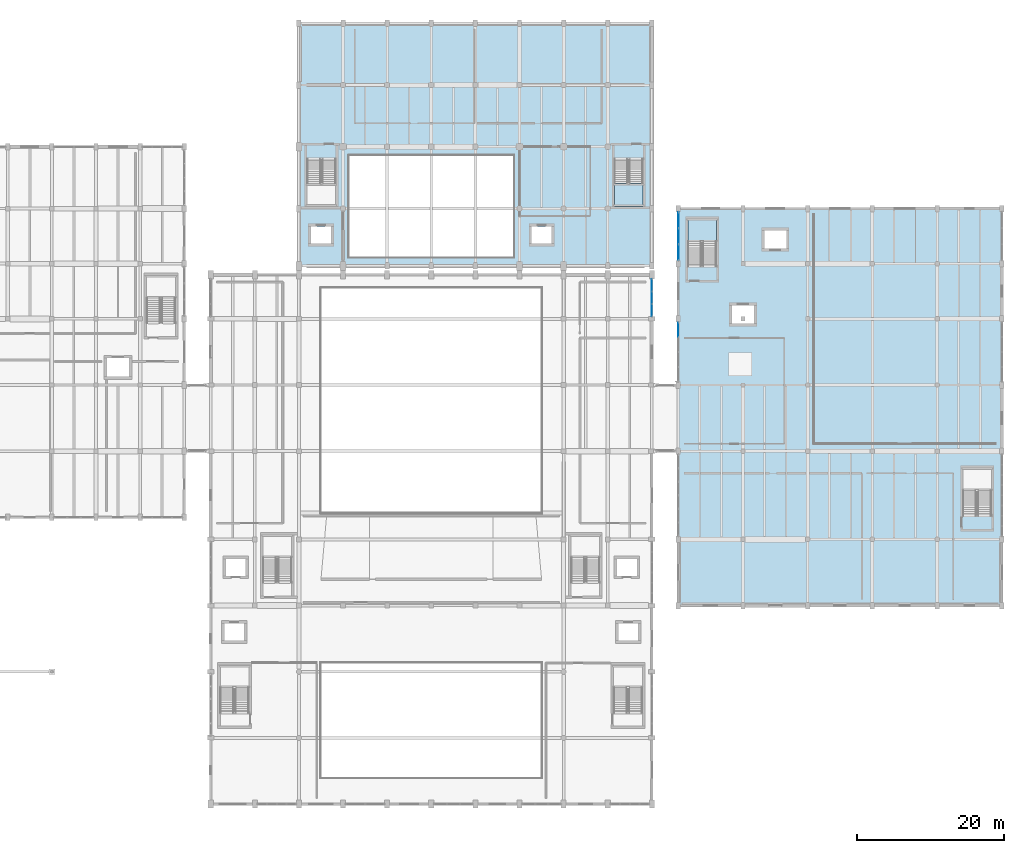
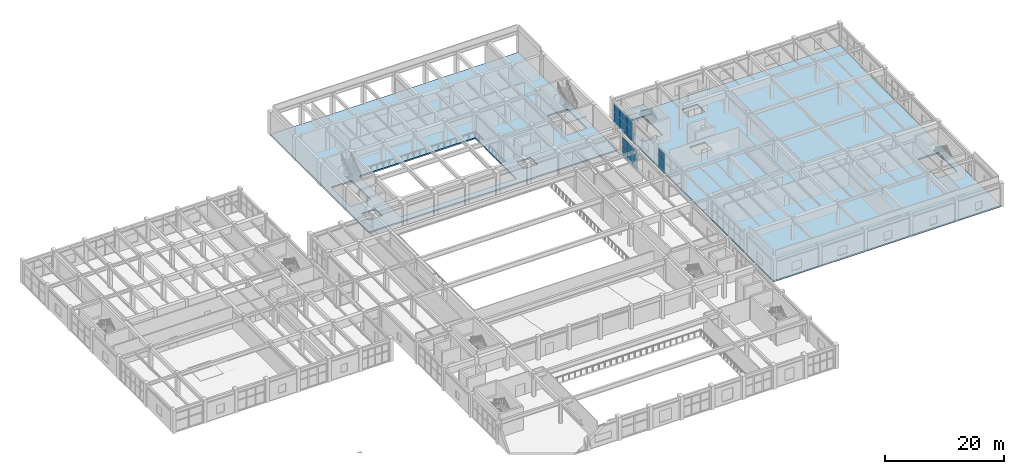
# One storey, part 58 of 85: 14 plates, 4 slabs, 5 elements without a shape of their own.
"""IFC4 building model written with IfcOpenShell, lengths in metres."""

from ifc_helpers import new_model, si_unit, direction, frame, origin, origin_2d, place, context, subcontext, project, spatial, polyline, rectangle, outline, extrude, material, layer, layer_set, type_object, element, aggregate, save


model = new_model("IFC4")

# Units and contexts
model_context = context("Model", 3, precision=1e-05, world=origin(), true_north=direction((0.0, 1.0)))
body_context = subcontext(model_context, "Body", "Model", "MODEL_VIEW")
ifc_project = project(units=[si_unit("LENGTHUNIT", "METRE"), si_unit("AREAUNIT", "SQUARE_METRE"), si_unit("VOLUMEUNIT", "CUBIC_METRE"), si_unit("PLANEANGLEUNIT", "RADIAN"), si_unit("MASSUNIT", "GRAM", prefix="KILO")], contexts=[model_context])

# Site, building, storey
site_placement = place(None, origin())
site = spatial("IfcSite", under=ifc_project, at=site_placement, CompositionType="ELEMENT")
building_placement = place(site_placement, origin())
building = spatial("IfcBuilding", under=site, at=building_placement, Name="Vaelkrest Opera House", CompositionType="ELEMENT")
storey_placement = place(building_placement, frame((0.0, 0.0, 10.199951171875)))
storey = spatial("IfcBuildingStorey", under=building, at=storey_placement, Name="L02", CompositionType="ELEMENT", Elevation=10.199951171875)

# Curtain wall, plates
ifc_material_1 = material(Name="Dark bronze anodized aluminium", Category="aluminium")
ifc_layer_1 = layer(ifc_material_1, 0.219970703125)
ifc_layer_set_1 = layer_set([ifc_layer_1], Name="Dark bronze anodized aluminium")
curtain_wall_type_1 = type_object("IfcCurtainWallType", Name="CW05", PredefinedType="NOTDEFINED", material=ifc_layer_set_1)
curtain_wall_1_placement = place(storey_placement, origin())
curtain_wall_1 = element("IfcCurtainWall", 1, at=curtain_wall_1_placement, inside=storey, type_object=curtain_wall_type_1, Name="Curtain wall CW-L02-039", PredefinedType="NOTDEFINED")
ifc_material_2 = material(Name="Double low-E insulated glazing", Category="glass")
ifc_layer_2 = layer(ifc_material_2, 0.0419921875)
ifc_layer_set_2 = layer_set([ifc_layer_2], Name="Double low-E insulated glazing")
plate_type_1 = type_object("IfcPlateType", Name="CWP05", PredefinedType="CURTAIN_PANEL", material=ifc_layer_set_2)
plate_1_placement = place(storey_placement, frame((30.0, 14.77685546875, 0.074951171875), z_axis=(0.0, 0.0, 1.0), x_axis=(0.0, -1.0, 0.0)))
plate_1 = element("IfcPlate", 2, at=plate_1_placement, type_object=plate_type_1, Name="CW05 panel 1.1", PredefinedType="CURTAIN_PANEL", context=body_context, shape_type="SweptSolid", body=[
    extrude(rectangle(XDim=1.62060546875, YDim=0.0419921875, at=origin_2d()), origin(), (0.0, 0.0, 1.0), 2.03759765625),
])
plate_2_placement = place(storey_placement, frame((30.0, 14.77685546875, 2.1875), z_axis=(0.0, 0.0, 1.0), x_axis=(0.0, -1.0, 0.0)))
plate_2 = element("IfcPlate", 3, at=plate_2_placement, type_object=plate_type_1, Name="CW05 panel 1.2", PredefinedType="CURTAIN_PANEL", context=body_context, shape_type="SweptSolid", body=[
    extrude(rectangle(XDim=1.62060546875, YDim=0.0419921875, at=origin_2d()), origin(), (0.0, 0.0, 1.0), 1.56640625),
])
plate_3_placement = place(storey_placement, frame((30.0, 13.074951171875, 0.074951171875), z_axis=(0.0, 0.0, 1.0), x_axis=(0.0, -1.0, 0.0)))
plate_3 = element("IfcPlate", 4, at=plate_3_placement, type_object=plate_type_1, Name="CW05 panel 2.1", PredefinedType="CURTAIN_PANEL", context=body_context, shape_type="SweptSolid", body=[
    extrude(rectangle(XDim=1.653076171875, YDim=0.0419921875, at=origin_2d()), origin(), (0.0, 0.0, 1.0), 2.03759765625),
])
plate_4_placement = place(storey_placement, frame((30.0, 13.074951171875, 2.1875), z_axis=(0.0, 0.0, 1.0), x_axis=(0.0, -1.0, 0.0)))
plate_4 = element("IfcPlate", 5, at=plate_4_placement, type_object=plate_type_1, Name="CW05 panel 2.2", PredefinedType="CURTAIN_PANEL", context=body_context, shape_type="SweptSolid", body=[
    extrude(rectangle(XDim=1.653076171875, YDim=0.0419921875, at=origin_2d()), origin(), (0.0, 0.0, 1.0), 1.56640625),
])
plate_5_placement = place(storey_placement, frame((30.0, 11.373291015625, 0.074951171875), z_axis=(0.0, 0.0, 1.0), x_axis=(0.0, -1.0, 0.0)))
plate_5 = element("IfcPlate", 6, at=plate_5_placement, type_object=plate_type_1, Name="CW05 panel 3.1", PredefinedType="CURTAIN_PANEL", context=body_context, shape_type="SweptSolid", body=[
    extrude(rectangle(XDim=1.62060546875, YDim=0.0419921875, at=origin_2d()), origin(), (0.0, 0.0, 1.0), 2.03759765625),
])
plate_6_placement = place(storey_placement, frame((30.0, 11.373291015625, 2.1875), z_axis=(0.0, 0.0, 1.0), x_axis=(0.0, -1.0, 0.0)))
plate_6 = element("IfcPlate", 7, at=plate_6_placement, type_object=plate_type_1, Name="CW05 panel 3.2", PredefinedType="CURTAIN_PANEL", context=body_context, shape_type="SweptSolid", body=[
    extrude(rectangle(XDim=1.62060546875, YDim=0.0419921875, at=origin_2d()), origin(), (0.0, 0.0, 1.0), 1.56640625),
])
aggregate(curtain_wall_1, [plate_1, plate_2, plate_3, plate_4, plate_5, plate_6])

ifc_layer_3 = layer(ifc_material_1, 0.22998046875)
ifc_layer_set_3 = layer_set([ifc_layer_3], Name="Dark bronze anodized aluminium")
curtain_wall_type_2 = type_object("IfcCurtainWallType", Name="CW06", PredefinedType="NOTDEFINED", material=ifc_layer_set_3)
curtain_wall_2_placement = place(storey_placement, origin())
curtain_wall_2 = element("IfcCurtainWall", 8, at=curtain_wall_2_placement, inside=storey, type_object=curtain_wall_type_2, Name="Curtain wall CW-L02-162", PredefinedType="NOTDEFINED")
ifc_material_3 = material(Name="Dark bronze anodized aluminium spandrel", Category="aluminium")
ifc_layer_4 = layer(ifc_material_3, 0.0458984375)
ifc_layer_set_4 = layer_set([ifc_layer_4], Name="Dark bronze anodized aluminium spandrel")
plate_type_2 = type_object("IfcPlateType", Name="CWP06", PredefinedType="CURTAIN_PANEL", material=ifc_layer_set_4)
plate_7_placement = place(storey_placement, frame((33.60009765625, 8.721435546875, 0.080078125), z_axis=(0.0, 0.0, 1.0), x_axis=(0.0, 1.0, 0.0)))
plate_7 = element("IfcPlate", 9, at=plate_7_placement, type_object=plate_type_2, Name="CW06 panel 4.1", PredefinedType="CURTAIN_PANEL", context=body_context, shape_type="SweptSolid", body=[
    extrude(rectangle(XDim=1.9208984375, YDim=0.0458984375, at=origin_2d()), origin(), (0.0, 0.0, 1.0), 2.030029296875),
])
plate_8_placement = place(storey_placement, frame((33.60009765625, 8.721435546875, 2.18994140625), z_axis=(0.0, 0.0, 1.0), x_axis=(0.0, 1.0, 0.0)))
plate_8 = element("IfcPlate", 10, at=plate_8_placement, type_object=plate_type_2, Name="CW06 panel 4.2", PredefinedType="CURTAIN_PANEL", context=body_context, shape_type="SweptSolid", body=[
    extrude(rectangle(XDim=1.9208984375, YDim=0.0458984375, at=origin_2d()), origin(), (0.0, 0.0, 1.0), 1.55908203125),
])
aggregate(curtain_wall_2, [plate_7, plate_8])

ifc_layer_5 = layer(ifc_material_1, 0.25)
ifc_layer_set_5 = layer_set([ifc_layer_5], Name="Dark bronze anodized aluminium")
curtain_wall_type_3 = type_object("IfcCurtainWallType", Name="CW08", PredefinedType="NOTDEFINED", material=ifc_layer_set_5)
curtain_wall_3_placement = place(storey_placement, origin())
curtain_wall_3 = element("IfcCurtainWall", 11, at=curtain_wall_3_placement, inside=storey, type_object=curtain_wall_type_3, Name="Curtain wall CW-L02-163", PredefinedType="NOTDEFINED")
ifc_layer_6 = layer(ifc_material_3, 0.05810546875)
ifc_layer_set_6 = layer_set([ifc_layer_6], Name="Dark bronze anodized aluminium spandrel")
plate_type_3 = type_object("IfcPlateType", Name="CWP08", PredefinedType="CURTAIN_PANEL", material=ifc_layer_set_6)
plate_9_placement = place(storey_placement, frame((33.60009765625, 19.2685546875, 0.070068359375), z_axis=(0.0, 0.0, 1.0), x_axis=(0.0, 1.0, 0.0)))
plate_9 = element("IfcPlate", 12, at=plate_9_placement, type_object=plate_type_3, Name="CW08 panel 1.1", PredefinedType="CURTAIN_PANEL", context=body_context, shape_type="SweptSolid", body=[
    extrude(rectangle(XDim=2.081298828125, YDim=0.05810546875, at=origin_2d()), origin(), (0.0, 0.0, 1.0), 2.044921875),
])
plate_10_placement = place(storey_placement, frame((33.60009765625, 19.2685546875, 2.18505859375), z_axis=(0.0, 0.0, 1.0), x_axis=(0.0, 1.0, 0.0)))
plate_10 = element("IfcPlate", 13, at=plate_10_placement, type_object=plate_type_3, Name="CW08 panel 1.2", PredefinedType="CURTAIN_PANEL", context=body_context, shape_type="SweptSolid", body=[
    extrude(rectangle(XDim=2.081298828125, YDim=0.05810546875, at=origin_2d()), origin(), (0.0, 0.0, 1.0), 1.573974609375),
])
plate_11_placement = place(storey_placement, frame((33.60009765625, 21.449951171875, 0.070068359375), z_axis=(0.0, 0.0, 1.0), x_axis=(0.0, 1.0, 0.0)))
plate_11 = element("IfcPlate", 14, at=plate_11_placement, type_object=plate_type_3, Name="CW08 panel 2.1", PredefinedType="CURTAIN_PANEL", context=body_context, shape_type="SweptSolid", body=[
    extrude(rectangle(XDim=2.121337890625, YDim=0.05810546875, at=origin_2d()), origin(), (0.0, 0.0, 1.0), 2.044921875),
])
plate_12_placement = place(storey_placement, frame((33.60009765625, 21.449951171875, 2.18505859375), z_axis=(0.0, 0.0, 1.0), x_axis=(0.0, 1.0, 0.0)))
plate_12 = element("IfcPlate", 15, at=plate_12_placement, type_object=plate_type_3, Name="CW08 panel 2.2", PredefinedType="CURTAIN_PANEL", context=body_context, shape_type="SweptSolid", body=[
    extrude(rectangle(XDim=2.121337890625, YDim=0.05810546875, at=origin_2d()), origin(), (0.0, 0.0, 1.0), 1.573974609375),
])
plate_13_placement = place(storey_placement, frame((33.60009765625, 23.63134765625, 0.070068359375), z_axis=(0.0, 0.0, 1.0), x_axis=(0.0, 1.0, 0.0)))
plate_13 = element("IfcPlate", 16, at=plate_13_placement, type_object=plate_type_3, Name="CW08 panel 3.1", PredefinedType="CURTAIN_PANEL", context=body_context, shape_type="SweptSolid", body=[
    extrude(rectangle(XDim=2.081298828125, YDim=0.05810546875, at=origin_2d()), origin(), (0.0, 0.0, 1.0), 2.044921875),
])
plate_14_placement = place(storey_placement, frame((33.60009765625, 23.63134765625, 2.18505859375), z_axis=(0.0, 0.0, 1.0), x_axis=(0.0, 1.0, 0.0)))
plate_14 = element("IfcPlate", 17, at=plate_14_placement, type_object=plate_type_3, Name="CW08 panel 3.2", PredefinedType="CURTAIN_PANEL", context=body_context, shape_type="SweptSolid", body=[
    extrude(rectangle(XDim=2.081298828125, YDim=0.05810546875, at=origin_2d()), origin(), (0.0, 0.0, 1.0), 1.573974609375),
])
aggregate(curtain_wall_3, [plate_9, plate_10, plate_11, plate_12, plate_13, plate_14])

# Slabs
ifc_material_4 = material(Name="Concrete C40/50", Category="concrete")
ifc_layer_7 = layer(ifc_material_4, 0.284912109375)
ifc_layer_set_7 = layer_set([ifc_layer_7], Name="Concrete C40/50")
slab_type_1 = type_object("IfcSlabType", Name="FS03", PredefinedType="FLOOR", material=ifc_layer_set_7)
slab_1_placement = place(storey_placement, frame((0.0, 0.0, -0.284912109375)))
element("IfcSlab", 18, at=slab_1_placement, inside=storey, type_object=slab_type_1, Name="Floor slab SLB-V2-L02-012", PredefinedType="FLOOR", context=body_context, shape_type="SweptSolid", body=[
    extrude(outline(polyline([(-18.0, 17.39990234375), (30.0, 17.39990234375), (30.0, 50.39990234375), (-18.0, 50.39990234375), (-18.0, 17.39990234375)]), holes=[polyline([(-11.199951171875, 18.60009765625), (11.199951171875, 18.60009765625), (11.199951171875, 32.39990234375), (-11.199951171875, 32.39990234375), (-11.199951171875, 18.60009765625)]), polyline([(-16.89990234375, 31.949951171875), (-16.89990234375, 25.5), (-13.0, 25.5), (-13.0, 31.949951171875), (-16.89990234375, 31.949951171875)]), polyline([(24.89990234375, 31.949951171875), (24.89990234375, 25.5), (28.800048828125, 25.5), (28.800048828125, 31.949951171875), (24.89990234375, 31.949951171875)]), polyline([(-16.35009765625, 20.449951171875), (-13.64990234375, 20.449951171875), (-13.64990234375, 22.75), (-16.35009765625, 22.75), (-16.35009765625, 20.449951171875)]), polyline([(13.64990234375, 20.449951171875), (16.35009765625, 20.449951171875), (16.35009765625, 22.75), (13.64990234375, 22.75), (13.64990234375, 20.449951171875)])]), origin(), (0.0, 0.0, 1.0), 0.284912109375),
])
slab_2_placement = place(storey_placement, frame((0.0, 0.0, -0.284912109375)))
element("IfcSlab", 19, at=slab_2_placement, inside=storey, type_object=slab_type_1, Name="Floor slab SLB-V4-L02-029", PredefinedType="FLOOR", context=body_context, shape_type="SweptSolid", body=[
    extrude(outline(polyline([(33.60009765625, -28.800048828125), (77.60009765625, -28.800048828125), (77.60009765625, 25.199951171875), (33.60009765625, 25.199951171875), (33.60009765625, -28.800048828125)]), holes=[polyline([(38.800048828125, 17.35009765625), (38.800048828125, 23.800048828125), (34.89990234375, 23.800048828125), (34.89990234375, 17.35009765625), (38.800048828125, 17.35009765625)]), polyline([(76.199951171875, -16.550048828125), (76.199951171875, -10.10009765625), (72.300048828125, -10.10009765625), (72.300048828125, -16.550048828125), (76.199951171875, -16.550048828125)]), polyline([(40.89990234375, 9.550048828125), (43.89990234375, 9.550048828125), (43.89990234375, 12.050048828125), (40.89990234375, 12.050048828125), (40.89990234375, 9.550048828125)]), polyline([(45.300048828125, 19.75), (48.300048828125, 19.75), (48.300048828125, 22.25), (45.300048828125, 22.25), (45.300048828125, 19.75)])]), origin(), (0.0, 0.0, 1.0), 0.284912109375),
])

# Stair, slab
stair_type_1 = type_object("IfcStairType", Name="ST06", PredefinedType="TWO_STRAIGHT_RUN_STAIR", material=ifc_material_4)
stair_1_placement = place(storey_placement, origin())
stair_1 = element("IfcStair", 20, at=stair_1_placement, inside=storey, type_object=stair_type_1, Name="L02 Protected exit stair ST06", PredefinedType="TWO_STRAIGHT_RUN_STAIR")
ifc_layer_8 = layer(ifc_material_4, 0.199951171875)
ifc_layer_set_8 = layer_set([ifc_layer_8], Name="Concrete C40/50")
slab_type_2 = type_object("IfcSlabType", Name="SLD01", PredefinedType="LANDING", material=ifc_layer_set_8)
slab_3_placement = place(storey_placement, frame((0.0, 0.0, 2.199951171875)))
slab_3 = element("IfcSlab", 21, at=slab_3_placement, type_object=slab_type_2, Name="ST06 landing 1", PredefinedType="LANDING", context=body_context, shape_type="SweptSolid", body=[
    extrude(outline(polyline([(24.89990234375, 28.590087890625), (24.89990234375, 25.5), (28.800048828125, 25.5), (28.800048828125, 28.590087890625), (24.89990234375, 28.590087890625)])), origin(), (0.0, 0.0, 1.0), 0.2001953125),
])
aggregate(stair_1, [slab_3])

stair_type_2 = type_object("IfcStairType", Name="ST09", PredefinedType="TWO_STRAIGHT_RUN_STAIR", material=ifc_material_4)
stair_2_placement = place(storey_placement, origin())
stair_2 = element("IfcStair", 22, at=stair_2_placement, inside=storey, type_object=stair_type_2, Name="L02 Protected exit stair ST09", PredefinedType="TWO_STRAIGHT_RUN_STAIR")
slab_4_placement = place(storey_placement, frame((0.0, 0.0, 2.199951171875)))
slab_4 = element("IfcSlab", 23, at=slab_4_placement, type_object=slab_type_2, Name="ST09 landing 1", PredefinedType="LANDING", context=body_context, shape_type="SweptSolid", body=[
    extrude(outline(polyline([(38.800048828125, 20.7099609375), (38.800048828125, 23.800048828125), (34.89990234375, 23.800048828125), (34.89990234375, 20.7099609375), (38.800048828125, 20.7099609375)])), origin(), (0.0, 0.0, 1.0), 0.2001953125),
])
aggregate(stair_2, [slab_4])

save(model, "model.ifc")
